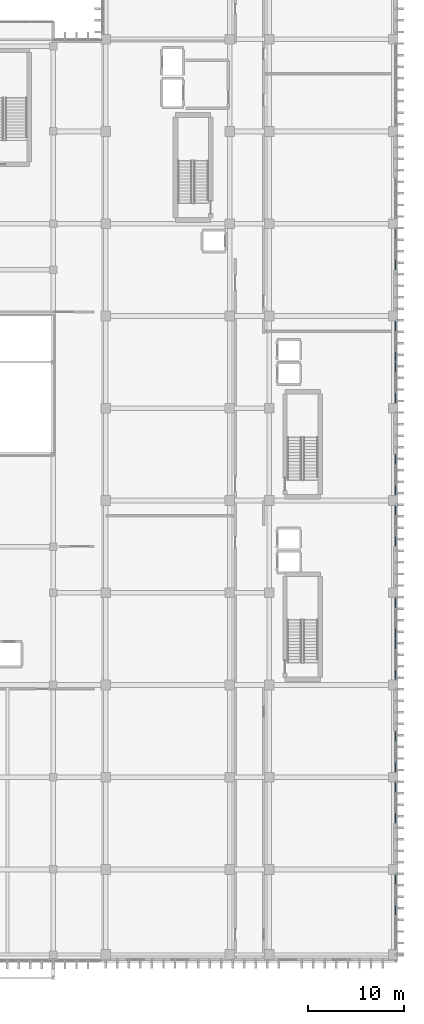
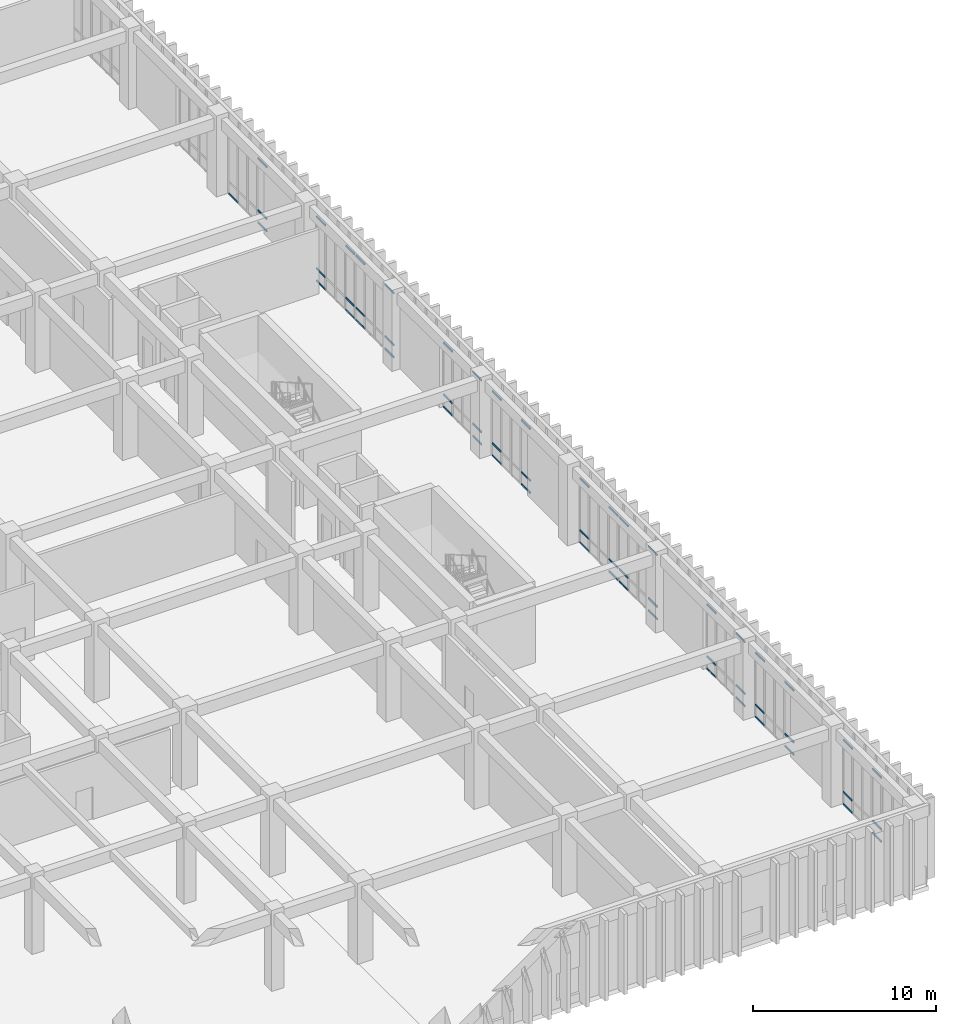
# One storey, part 88 of 134: 58 members, 10 elements without a shape of their own.
"""IFC4 building model written with IfcOpenShell, lengths in metres."""

from ifc_helpers import new_model, si_unit, direction, frame, origin, origin_2d, place, context, subcontext, project, spatial, hollow_rectangle, extrude, material, layer, layer_set, material_profile, profile_set, type_object, element, aggregate, save


model = new_model("IFC4")

# Units and contexts
model_context = context("Model", 3, precision=1e-05, world=origin(), true_north=direction((0.0, 1.0)))
body_context = subcontext(model_context, "Body", "Model", "MODEL_VIEW")
ifc_project = project(units=[si_unit("LENGTHUNIT", "METRE"), si_unit("AREAUNIT", "SQUARE_METRE"), si_unit("VOLUMEUNIT", "CUBIC_METRE"), si_unit("PLANEANGLEUNIT", "RADIAN"), si_unit("MASSUNIT", "GRAM", prefix="KILO")], contexts=[model_context])

# Site, building, storey
site_placement = place(None, origin())
site = spatial("IfcSite", under=ifc_project, at=site_placement, CompositionType="ELEMENT")
building_placement = place(site_placement, origin())
building = spatial("IfcBuilding", under=site, at=building_placement, Name="Nakhvara Creek Congress Hotel", CompositionType="ELEMENT")
storey_placement = place(building_placement, frame((0.0, 0.0, 6.0)))
storey = spatial("IfcBuildingStorey", under=building, at=storey_placement, Name="L01", CompositionType="ELEMENT", Elevation=6.0)

# Curtain wall, members
ifc_material_1 = material(Name="Bronze-anodised aluminium AW-6063-T6 and double-silver low-E glass", Category="aluminium")
ifc_layer = layer(ifc_material_1, 0.199951171875)
ifc_layer_set = layer_set([ifc_layer], Name="Bronze-anodised aluminium AW-6063-T6 and double-silver low-E glass")
curtain_wall_type = type_object("IfcCurtainWallType", Name="CW-HTL-UNIT", PredefinedType="USERDEFINED", material=ifc_layer_set)
curtain_wall_1_placement = place(storey_placement, origin())
curtain_wall_1 = element("IfcCurtainWall", 1, at=curtain_wall_1_placement, inside=storey, type_object=curtain_wall_type, Name="Curtain Wall CW107", ObjectType="UNITISED", PredefinedType="USERDEFINED")
ifc_material_2 = material(Name="Bronze-anodised aluminium AW-6063-T6", Category="aluminium")
ifc_material_profile = material_profile(ifc_material_2, hollow_rectangle(XDim=0.06494140625, YDim=0.1201171875, WallThickness=0.00390625, at=origin_2d()), Name="ALU-TRAN 65x120x4", Category="LoadBearing")
ifc_profile_set = profile_set([ifc_material_profile], Name="Bronze-anodised aluminium AW-6063-T6")
member_type = type_object("IfcMemberType", Name="CW-TRAN-120", PredefinedType="USERDEFINED", material=ifc_profile_set)
member_1_placement = place(storey_placement, frame((179.60009765625, 9.02001953125, 0.032470703125), z_axis=(0.0, -1.0, 0.0), x_axis=(1.0, 0.0, 0.0)))
member_1 = element("IfcMember", 2, at=member_1_placement, type_object=member_type, Name="CW107 transom 1.1", ObjectType="TRANSOM", PredefinedType="USERDEFINED", context=body_context, shape_type="SweptSolid", body=[
    extrude(hollow_rectangle(XDim=0.06494140625, YDim=0.1201171875, WallThickness=0.00390625, at=origin_2d()), origin(), (0.0, 0.0, 1.0), 0.973876953125),
])
member_2_placement = place(storey_placement, frame((179.60009765625, 9.02001953125, 0.85009765625), z_axis=(0.0, -1.0, 0.0), x_axis=(1.0, 0.0, 0.0)))
member_2 = element("IfcMember", 3, at=member_2_placement, type_object=member_type, Name="CW107 transom 1.2", ObjectType="TRANSOM", PredefinedType="USERDEFINED", context=body_context, shape_type="SweptSolid", body=[
    extrude(hollow_rectangle(XDim=0.06494140625, YDim=0.1201171875, WallThickness=0.00390625, at=origin_2d()), origin(), (0.0, 0.0, 1.0), 0.973876953125),
])
member_3_placement = place(storey_placement, frame((179.60009765625, 9.02001953125, 4.3095703125), z_axis=(0.0, -1.0, 0.0), x_axis=(1.0, 0.0, 0.0)))
member_3 = element("IfcMember", 4, at=member_3_placement, type_object=member_type, Name="CW107 transom 1.3", ObjectType="TRANSOM", PredefinedType="USERDEFINED", context=body_context, shape_type="SweptSolid", body=[
    extrude(hollow_rectangle(XDim=0.06494140625, YDim=0.1201171875, WallThickness=0.00390625, at=origin_2d()), origin(), (0.0, 0.0, 1.0), 0.973876953125),
])
member_4_placement = place(storey_placement, frame((179.60009765625, 5.8388671875, 0.032470703125), z_axis=(0.0, -1.0, 0.0), x_axis=(1.0, 0.0, 0.0)))
member_4 = element("IfcMember", 5, at=member_4_placement, type_object=member_type, Name="CW107 transom 4.1", ObjectType="TRANSOM", PredefinedType="USERDEFINED", context=body_context, shape_type="SweptSolid", body=[
    extrude(hollow_rectangle(XDim=0.06494140625, YDim=0.1201171875, WallThickness=0.00390625, at=origin_2d()), origin(), (0.0, 0.0, 1.0), 0.973876953125),
])
member_5_placement = place(storey_placement, frame((179.60009765625, 5.8388671875, 0.85009765625), z_axis=(0.0, -1.0, 0.0), x_axis=(1.0, 0.0, 0.0)))
member_5 = element("IfcMember", 6, at=member_5_placement, type_object=member_type, Name="CW107 transom 4.2", ObjectType="TRANSOM", PredefinedType="USERDEFINED", context=body_context, shape_type="SweptSolid", body=[
    extrude(hollow_rectangle(XDim=0.06494140625, YDim=0.1201171875, WallThickness=0.00390625, at=origin_2d()), origin(), (0.0, 0.0, 1.0), 0.973876953125),
])
member_6_placement = place(storey_placement, frame((179.60009765625, 5.8388671875, 4.3095703125), z_axis=(0.0, -1.0, 0.0), x_axis=(1.0, 0.0, 0.0)))
member_6 = element("IfcMember", 7, at=member_6_placement, type_object=member_type, Name="CW107 transom 4.3", ObjectType="TRANSOM", PredefinedType="USERDEFINED", context=body_context, shape_type="SweptSolid", body=[
    extrude(hollow_rectangle(XDim=0.06494140625, YDim=0.1201171875, WallThickness=0.00390625, at=origin_2d()), origin(), (0.0, 0.0, 1.0), 0.973876953125),
])
aggregate(curtain_wall_1, [member_1, member_2, member_3, member_4, member_5, member_6])

curtain_wall_2_placement = place(storey_placement, origin())
curtain_wall_2 = element("IfcCurtainWall", 8, at=curtain_wall_2_placement, inside=storey, type_object=curtain_wall_type, Name="Curtain Wall CW108", ObjectType="UNITISED", PredefinedType="USERDEFINED")
member_7_placement = place(storey_placement, frame((179.60009765625, 18.6201171875, 0.032470703125), z_axis=(0.0, -1.0, 0.0), x_axis=(1.0, 0.0, 0.0)))
member_7 = element("IfcMember", 9, at=member_7_placement, type_object=member_type, Name="CW108 transom 1.1", ObjectType="TRANSOM", PredefinedType="USERDEFINED", context=body_context, shape_type="SweptSolid", body=[
    extrude(hollow_rectangle(XDim=0.06494140625, YDim=0.1201171875, WallThickness=0.00390625, at=origin_2d()), origin(), (0.0, 0.0, 1.0), 0.973876953125),
])
member_8_placement = place(storey_placement, frame((179.60009765625, 18.6201171875, 0.85009765625), z_axis=(0.0, -1.0, 0.0), x_axis=(1.0, 0.0, 0.0)))
member_8 = element("IfcMember", 10, at=member_8_placement, type_object=member_type, Name="CW108 transom 1.2", ObjectType="TRANSOM", PredefinedType="USERDEFINED", context=body_context, shape_type="SweptSolid", body=[
    extrude(hollow_rectangle(XDim=0.06494140625, YDim=0.1201171875, WallThickness=0.00390625, at=origin_2d()), origin(), (0.0, 0.0, 1.0), 0.973876953125),
])
member_9_placement = place(storey_placement, frame((179.60009765625, 18.6201171875, 4.3095703125), z_axis=(0.0, -1.0, 0.0), x_axis=(1.0, 0.0, 0.0)))
member_9 = element("IfcMember", 11, at=member_9_placement, type_object=member_type, Name="CW108 transom 1.3", ObjectType="TRANSOM", PredefinedType="USERDEFINED", context=body_context, shape_type="SweptSolid", body=[
    extrude(hollow_rectangle(XDim=0.06494140625, YDim=0.1201171875, WallThickness=0.00390625, at=origin_2d()), origin(), (0.0, 0.0, 1.0), 0.973876953125),
])
member_10_placement = place(storey_placement, frame((179.60009765625, 15.438720703125, 0.032470703125), z_axis=(0.0, -1.0, 0.0), x_axis=(1.0, 0.0, 0.0)))
member_10 = element("IfcMember", 12, at=member_10_placement, type_object=member_type, Name="CW108 transom 4.1", ObjectType="TRANSOM", PredefinedType="USERDEFINED", context=body_context, shape_type="SweptSolid", body=[
    extrude(hollow_rectangle(XDim=0.06494140625, YDim=0.1201171875, WallThickness=0.00390625, at=origin_2d()), origin(), (0.0, 0.0, 1.0), 0.9736328125),
])
member_11_placement = place(storey_placement, frame((179.60009765625, 15.438720703125, 0.85009765625), z_axis=(0.0, -1.0, 0.0), x_axis=(1.0, 0.0, 0.0)))
member_11 = element("IfcMember", 13, at=member_11_placement, type_object=member_type, Name="CW108 transom 4.2", ObjectType="TRANSOM", PredefinedType="USERDEFINED", context=body_context, shape_type="SweptSolid", body=[
    extrude(hollow_rectangle(XDim=0.06494140625, YDim=0.1201171875, WallThickness=0.00390625, at=origin_2d()), origin(), (0.0, 0.0, 1.0), 0.9736328125),
])
member_12_placement = place(storey_placement, frame((179.60009765625, 15.438720703125, 4.3095703125), z_axis=(0.0, -1.0, 0.0), x_axis=(1.0, 0.0, 0.0)))
member_12 = element("IfcMember", 14, at=member_12_placement, type_object=member_type, Name="CW108 transom 4.3", ObjectType="TRANSOM", PredefinedType="USERDEFINED", context=body_context, shape_type="SweptSolid", body=[
    extrude(hollow_rectangle(XDim=0.06494140625, YDim=0.1201171875, WallThickness=0.00390625, at=origin_2d()), origin(), (0.0, 0.0, 1.0), 0.9736328125),
])
aggregate(curtain_wall_2, [member_7, member_8, member_9, member_10, member_11, member_12])

curtain_wall_3_placement = place(storey_placement, origin())
curtain_wall_3 = element("IfcCurtainWall", 15, at=curtain_wall_3_placement, inside=storey, type_object=curtain_wall_type, Name="Curtain Wall CW109", ObjectType="UNITISED", PredefinedType="USERDEFINED")
member_13_placement = place(storey_placement, frame((179.60009765625, 23.93505859375, 0.032470703125), z_axis=(0.0, -1.0, 0.0), x_axis=(1.0, 0.0, 0.0)))
member_13 = element("IfcMember", 16, at=member_13_placement, type_object=member_type, Name="CW109 transom 1.1", ObjectType="TRANSOM", PredefinedType="USERDEFINED", context=body_context, shape_type="SweptSolid", body=[
    extrude(hollow_rectangle(XDim=0.06494140625, YDim=0.1201171875, WallThickness=0.00390625, at=origin_2d()), origin(), (0.0, 0.0, 1.0), 0.973876953125),
])
member_14_placement = place(storey_placement, frame((179.60009765625, 23.93505859375, 0.85009765625), z_axis=(0.0, -1.0, 0.0), x_axis=(1.0, 0.0, 0.0)))
member_14 = element("IfcMember", 17, at=member_14_placement, type_object=member_type, Name="CW109 transom 1.2", ObjectType="TRANSOM", PredefinedType="USERDEFINED", context=body_context, shape_type="SweptSolid", body=[
    extrude(hollow_rectangle(XDim=0.06494140625, YDim=0.1201171875, WallThickness=0.00390625, at=origin_2d()), origin(), (0.0, 0.0, 1.0), 0.973876953125),
])
member_15_placement = place(storey_placement, frame((179.60009765625, 23.93505859375, 4.3095703125), z_axis=(0.0, -1.0, 0.0), x_axis=(1.0, 0.0, 0.0)))
member_15 = element("IfcMember", 18, at=member_15_placement, type_object=member_type, Name="CW109 transom 1.3", ObjectType="TRANSOM", PredefinedType="USERDEFINED", context=body_context, shape_type="SweptSolid", body=[
    extrude(hollow_rectangle(XDim=0.06494140625, YDim=0.1201171875, WallThickness=0.00390625, at=origin_2d()), origin(), (0.0, 0.0, 1.0), 0.973876953125),
])
member_16_placement = place(storey_placement, frame((179.60009765625, 20.753662109375, 0.032470703125), z_axis=(0.0, -1.0, 0.0), x_axis=(1.0, 0.0, 0.0)))
member_16 = element("IfcMember", 19, at=member_16_placement, type_object=member_type, Name="CW109 transom 4.1", ObjectType="TRANSOM", PredefinedType="USERDEFINED", context=body_context, shape_type="SweptSolid", body=[
    extrude(hollow_rectangle(XDim=0.06494140625, YDim=0.1201171875, WallThickness=0.00390625, at=origin_2d()), origin(), (0.0, 0.0, 1.0), 0.9736328125),
])
member_17_placement = place(storey_placement, frame((179.60009765625, 20.753662109375, 0.85009765625), z_axis=(0.0, -1.0, 0.0), x_axis=(1.0, 0.0, 0.0)))
member_17 = element("IfcMember", 20, at=member_17_placement, type_object=member_type, Name="CW109 transom 4.2", ObjectType="TRANSOM", PredefinedType="USERDEFINED", context=body_context, shape_type="SweptSolid", body=[
    extrude(hollow_rectangle(XDim=0.06494140625, YDim=0.1201171875, WallThickness=0.00390625, at=origin_2d()), origin(), (0.0, 0.0, 1.0), 0.9736328125),
])
member_18_placement = place(storey_placement, frame((179.60009765625, 20.753662109375, 4.3095703125), z_axis=(0.0, -1.0, 0.0), x_axis=(1.0, 0.0, 0.0)))
member_18 = element("IfcMember", 21, at=member_18_placement, type_object=member_type, Name="CW109 transom 4.3", ObjectType="TRANSOM", PredefinedType="USERDEFINED", context=body_context, shape_type="SweptSolid", body=[
    extrude(hollow_rectangle(XDim=0.06494140625, YDim=0.1201171875, WallThickness=0.00390625, at=origin_2d()), origin(), (0.0, 0.0, 1.0), 0.9736328125),
])
aggregate(curtain_wall_3, [member_13, member_14, member_15, member_16, member_17, member_18])

curtain_wall_4_placement = place(storey_placement, origin())
curtain_wall_4 = element("IfcCurtainWall", 22, at=curtain_wall_4_placement, inside=storey, type_object=curtain_wall_type, Name="Curtain Wall CW110", ObjectType="UNITISED", PredefinedType="USERDEFINED")
member_19_placement = place(storey_placement, frame((179.60009765625, 33.534912109375, 0.032470703125), z_axis=(0.0, -1.0, 0.0), x_axis=(1.0, 0.0, 0.0)))
member_19 = element("IfcMember", 23, at=member_19_placement, type_object=member_type, Name="CW110 transom 1.1", ObjectType="TRANSOM", PredefinedType="USERDEFINED", context=body_context, shape_type="SweptSolid", body=[
    extrude(hollow_rectangle(XDim=0.06494140625, YDim=0.1201171875, WallThickness=0.00390625, at=origin_2d()), origin(), (0.0, 0.0, 1.0), 0.9736328125),
])
member_20_placement = place(storey_placement, frame((179.60009765625, 33.534912109375, 0.85009765625), z_axis=(0.0, -1.0, 0.0), x_axis=(1.0, 0.0, 0.0)))
member_20 = element("IfcMember", 24, at=member_20_placement, type_object=member_type, Name="CW110 transom 1.2", ObjectType="TRANSOM", PredefinedType="USERDEFINED", context=body_context, shape_type="SweptSolid", body=[
    extrude(hollow_rectangle(XDim=0.06494140625, YDim=0.1201171875, WallThickness=0.00390625, at=origin_2d()), origin(), (0.0, 0.0, 1.0), 0.9736328125),
])
member_21_placement = place(storey_placement, frame((179.60009765625, 33.534912109375, 4.3095703125), z_axis=(0.0, -1.0, 0.0), x_axis=(1.0, 0.0, 0.0)))
member_21 = element("IfcMember", 25, at=member_21_placement, type_object=member_type, Name="CW110 transom 1.3", ObjectType="TRANSOM", PredefinedType="USERDEFINED", context=body_context, shape_type="SweptSolid", body=[
    extrude(hollow_rectangle(XDim=0.06494140625, YDim=0.1201171875, WallThickness=0.00390625, at=origin_2d()), origin(), (0.0, 0.0, 1.0), 0.9736328125),
])
member_22_placement = place(storey_placement, frame((179.60009765625, 30.353759765625, 0.032470703125), z_axis=(0.0, -1.0, 0.0), x_axis=(1.0, 0.0, 0.0)))
member_22 = element("IfcMember", 26, at=member_22_placement, type_object=member_type, Name="CW110 transom 4.1", ObjectType="TRANSOM", PredefinedType="USERDEFINED", context=body_context, shape_type="SweptSolid", body=[
    extrude(hollow_rectangle(XDim=0.06494140625, YDim=0.1201171875, WallThickness=0.00390625, at=origin_2d()), origin(), (0.0, 0.0, 1.0), 0.973876953125),
])
member_23_placement = place(storey_placement, frame((179.60009765625, 30.353759765625, 0.85009765625), z_axis=(0.0, -1.0, 0.0), x_axis=(1.0, 0.0, 0.0)))
member_23 = element("IfcMember", 27, at=member_23_placement, type_object=member_type, Name="CW110 transom 4.2", ObjectType="TRANSOM", PredefinedType="USERDEFINED", context=body_context, shape_type="SweptSolid", body=[
    extrude(hollow_rectangle(XDim=0.06494140625, YDim=0.1201171875, WallThickness=0.00390625, at=origin_2d()), origin(), (0.0, 0.0, 1.0), 0.973876953125),
])
member_24_placement = place(storey_placement, frame((179.60009765625, 30.353759765625, 4.3095703125), z_axis=(0.0, -1.0, 0.0), x_axis=(1.0, 0.0, 0.0)))
member_24 = element("IfcMember", 28, at=member_24_placement, type_object=member_type, Name="CW110 transom 4.3", ObjectType="TRANSOM", PredefinedType="USERDEFINED", context=body_context, shape_type="SweptSolid", body=[
    extrude(hollow_rectangle(XDim=0.06494140625, YDim=0.1201171875, WallThickness=0.00390625, at=origin_2d()), origin(), (0.0, 0.0, 1.0), 0.973876953125),
])
aggregate(curtain_wall_4, [member_19, member_20, member_21, member_22, member_23, member_24])

curtain_wall_5_placement = place(storey_placement, origin())
curtain_wall_5 = element("IfcCurtainWall", 29, at=curtain_wall_5_placement, inside=storey, type_object=curtain_wall_type, Name="Curtain Wall CW111", ObjectType="UNITISED", PredefinedType="USERDEFINED")
member_25_placement = place(storey_placement, frame((179.60009765625, 37.820068359375, 0.032470703125), z_axis=(0.0, -1.0, 0.0), x_axis=(1.0, 0.0, 0.0)))
member_25 = element("IfcMember", 30, at=member_25_placement, type_object=member_type, Name="CW111 transom 1.1", ObjectType="TRANSOM", PredefinedType="USERDEFINED", context=body_context, shape_type="SweptSolid", body=[
    extrude(hollow_rectangle(XDim=0.06494140625, YDim=0.1201171875, WallThickness=0.00390625, at=origin_2d()), origin(), (0.0, 0.0, 1.0), 0.973876953125),
])
member_26_placement = place(storey_placement, frame((179.60009765625, 37.820068359375, 0.85009765625), z_axis=(0.0, -1.0, 0.0), x_axis=(1.0, 0.0, 0.0)))
member_26 = element("IfcMember", 31, at=member_26_placement, type_object=member_type, Name="CW111 transom 1.2", ObjectType="TRANSOM", PredefinedType="USERDEFINED", context=body_context, shape_type="SweptSolid", body=[
    extrude(hollow_rectangle(XDim=0.06494140625, YDim=0.1201171875, WallThickness=0.00390625, at=origin_2d()), origin(), (0.0, 0.0, 1.0), 0.973876953125),
])
member_27_placement = place(storey_placement, frame((179.60009765625, 37.820068359375, 4.3095703125), z_axis=(0.0, -1.0, 0.0), x_axis=(1.0, 0.0, 0.0)))
member_27 = element("IfcMember", 32, at=member_27_placement, type_object=member_type, Name="CW111 transom 1.3", ObjectType="TRANSOM", PredefinedType="USERDEFINED", context=body_context, shape_type="SweptSolid", body=[
    extrude(hollow_rectangle(XDim=0.06494140625, YDim=0.1201171875, WallThickness=0.00390625, at=origin_2d()), origin(), (0.0, 0.0, 1.0), 0.973876953125),
])
member_28_placement = place(storey_placement, frame((179.60009765625, 34.638671875, 0.032470703125), z_axis=(0.0, -1.0, 0.0), x_axis=(1.0, 0.0, 0.0)))
member_28 = element("IfcMember", 33, at=member_28_placement, type_object=member_type, Name="CW111 transom 4.1", ObjectType="TRANSOM", PredefinedType="USERDEFINED", context=body_context, shape_type="SweptSolid", body=[
    extrude(hollow_rectangle(XDim=0.06494140625, YDim=0.1201171875, WallThickness=0.00390625, at=origin_2d()), origin(), (0.0, 0.0, 1.0), 0.9736328125),
])
member_29_placement = place(storey_placement, frame((179.60009765625, 34.638671875, 0.85009765625), z_axis=(0.0, -1.0, 0.0), x_axis=(1.0, 0.0, 0.0)))
member_29 = element("IfcMember", 34, at=member_29_placement, type_object=member_type, Name="CW111 transom 4.2", ObjectType="TRANSOM", PredefinedType="USERDEFINED", context=body_context, shape_type="SweptSolid", body=[
    extrude(hollow_rectangle(XDim=0.06494140625, YDim=0.1201171875, WallThickness=0.00390625, at=origin_2d()), origin(), (0.0, 0.0, 1.0), 0.9736328125),
])
member_30_placement = place(storey_placement, frame((179.60009765625, 34.638671875, 4.3095703125), z_axis=(0.0, -1.0, 0.0), x_axis=(1.0, 0.0, 0.0)))
member_30 = element("IfcMember", 35, at=member_30_placement, type_object=member_type, Name="CW111 transom 4.3", ObjectType="TRANSOM", PredefinedType="USERDEFINED", context=body_context, shape_type="SweptSolid", body=[
    extrude(hollow_rectangle(XDim=0.06494140625, YDim=0.1201171875, WallThickness=0.00390625, at=origin_2d()), origin(), (0.0, 0.0, 1.0), 0.9736328125),
])
aggregate(curtain_wall_5, [member_25, member_26, member_27, member_28, member_29, member_30])

curtain_wall_6_placement = place(storey_placement, origin())
curtain_wall_6 = element("IfcCurtainWall", 36, at=curtain_wall_6_placement, inside=storey, type_object=curtain_wall_type, Name="Curtain Wall CW112", ObjectType="UNITISED", PredefinedType="USERDEFINED")
member_31_placement = place(storey_placement, frame((179.60009765625, 47.419921875, 0.032470703125), z_axis=(0.0, -1.0, 0.0), x_axis=(1.0, 0.0, 0.0)))
member_31 = element("IfcMember", 37, at=member_31_placement, type_object=member_type, Name="CW112 transom 1.1", ObjectType="TRANSOM", PredefinedType="USERDEFINED", context=body_context, shape_type="SweptSolid", body=[
    extrude(hollow_rectangle(XDim=0.06494140625, YDim=0.1201171875, WallThickness=0.00390625, at=origin_2d()), origin(), (0.0, 0.0, 1.0), 0.9736328125),
])
member_32_placement = place(storey_placement, frame((179.60009765625, 47.419921875, 0.85009765625), z_axis=(0.0, -1.0, 0.0), x_axis=(1.0, 0.0, 0.0)))
member_32 = element("IfcMember", 38, at=member_32_placement, type_object=member_type, Name="CW112 transom 1.2", ObjectType="TRANSOM", PredefinedType="USERDEFINED", context=body_context, shape_type="SweptSolid", body=[
    extrude(hollow_rectangle(XDim=0.06494140625, YDim=0.1201171875, WallThickness=0.00390625, at=origin_2d()), origin(), (0.0, 0.0, 1.0), 0.9736328125),
])
member_33_placement = place(storey_placement, frame((179.60009765625, 47.419921875, 4.3095703125), z_axis=(0.0, -1.0, 0.0), x_axis=(1.0, 0.0, 0.0)))
member_33 = element("IfcMember", 39, at=member_33_placement, type_object=member_type, Name="CW112 transom 1.3", ObjectType="TRANSOM", PredefinedType="USERDEFINED", context=body_context, shape_type="SweptSolid", body=[
    extrude(hollow_rectangle(XDim=0.06494140625, YDim=0.1201171875, WallThickness=0.00390625, at=origin_2d()), origin(), (0.0, 0.0, 1.0), 0.9736328125),
])
member_34_placement = place(storey_placement, frame((179.60009765625, 44.23876953125, 0.032470703125), z_axis=(0.0, -1.0, 0.0), x_axis=(1.0, 0.0, 0.0)))
member_34 = element("IfcMember", 40, at=member_34_placement, type_object=member_type, Name="CW112 transom 4.1", ObjectType="TRANSOM", PredefinedType="USERDEFINED", context=body_context, shape_type="SweptSolid", body=[
    extrude(hollow_rectangle(XDim=0.06494140625, YDim=0.1201171875, WallThickness=0.00390625, at=origin_2d()), origin(), (0.0, 0.0, 1.0), 0.973876953125),
])
member_35_placement = place(storey_placement, frame((179.60009765625, 44.23876953125, 0.85009765625), z_axis=(0.0, -1.0, 0.0), x_axis=(1.0, 0.0, 0.0)))
member_35 = element("IfcMember", 41, at=member_35_placement, type_object=member_type, Name="CW112 transom 4.2", ObjectType="TRANSOM", PredefinedType="USERDEFINED", context=body_context, shape_type="SweptSolid", body=[
    extrude(hollow_rectangle(XDim=0.06494140625, YDim=0.1201171875, WallThickness=0.00390625, at=origin_2d()), origin(), (0.0, 0.0, 1.0), 0.973876953125),
])
member_36_placement = place(storey_placement, frame((179.60009765625, 44.23876953125, 4.3095703125), z_axis=(0.0, -1.0, 0.0), x_axis=(1.0, 0.0, 0.0)))
member_36 = element("IfcMember", 42, at=member_36_placement, type_object=member_type, Name="CW112 transom 4.3", ObjectType="TRANSOM", PredefinedType="USERDEFINED", context=body_context, shape_type="SweptSolid", body=[
    extrude(hollow_rectangle(XDim=0.06494140625, YDim=0.1201171875, WallThickness=0.00390625, at=origin_2d()), origin(), (0.0, 0.0, 1.0), 0.973876953125),
])
aggregate(curtain_wall_6, [member_31, member_32, member_33, member_34, member_35, member_36])

curtain_wall_7_placement = place(storey_placement, origin())
curtain_wall_7 = element("IfcCurtainWall", 43, at=curtain_wall_7_placement, inside=storey, type_object=curtain_wall_type, Name="Curtain Wall CW113", ObjectType="UNITISED", PredefinedType="USERDEFINED")
member_37_placement = place(storey_placement, frame((179.60009765625, 52.735107421875, 0.032470703125), z_axis=(0.0, -1.0, 0.0), x_axis=(1.0, 0.0, 0.0)))
member_37 = element("IfcMember", 44, at=member_37_placement, type_object=member_type, Name="CW113 transom 1.1", ObjectType="TRANSOM", PredefinedType="USERDEFINED", context=body_context, shape_type="SweptSolid", body=[
    extrude(hollow_rectangle(XDim=0.06494140625, YDim=0.1201171875, WallThickness=0.00390625, at=origin_2d()), origin(), (0.0, 0.0, 1.0), 0.973876953125),
])
member_38_placement = place(storey_placement, frame((179.60009765625, 52.735107421875, 0.85009765625), z_axis=(0.0, -1.0, 0.0), x_axis=(1.0, 0.0, 0.0)))
member_38 = element("IfcMember", 45, at=member_38_placement, type_object=member_type, Name="CW113 transom 1.2", ObjectType="TRANSOM", PredefinedType="USERDEFINED", context=body_context, shape_type="SweptSolid", body=[
    extrude(hollow_rectangle(XDim=0.06494140625, YDim=0.1201171875, WallThickness=0.00390625, at=origin_2d()), origin(), (0.0, 0.0, 1.0), 0.973876953125),
])
member_39_placement = place(storey_placement, frame((179.60009765625, 52.735107421875, 4.3095703125), z_axis=(0.0, -1.0, 0.0), x_axis=(1.0, 0.0, 0.0)))
member_39 = element("IfcMember", 46, at=member_39_placement, type_object=member_type, Name="CW113 transom 1.3", ObjectType="TRANSOM", PredefinedType="USERDEFINED", context=body_context, shape_type="SweptSolid", body=[
    extrude(hollow_rectangle(XDim=0.06494140625, YDim=0.1201171875, WallThickness=0.00390625, at=origin_2d()), origin(), (0.0, 0.0, 1.0), 0.973876953125),
])
member_40_placement = place(storey_placement, frame((179.60009765625, 49.5537109375, 0.032470703125), z_axis=(0.0, -1.0, 0.0), x_axis=(1.0, 0.0, 0.0)))
member_40 = element("IfcMember", 47, at=member_40_placement, type_object=member_type, Name="CW113 transom 4.1", ObjectType="TRANSOM", PredefinedType="USERDEFINED", context=body_context, shape_type="SweptSolid", body=[
    extrude(hollow_rectangle(XDim=0.06494140625, YDim=0.1201171875, WallThickness=0.00390625, at=origin_2d()), origin(), (0.0, 0.0, 1.0), 0.9736328125),
])
member_41_placement = place(storey_placement, frame((179.60009765625, 49.5537109375, 0.85009765625), z_axis=(0.0, -1.0, 0.0), x_axis=(1.0, 0.0, 0.0)))
member_41 = element("IfcMember", 48, at=member_41_placement, type_object=member_type, Name="CW113 transom 4.2", ObjectType="TRANSOM", PredefinedType="USERDEFINED", context=body_context, shape_type="SweptSolid", body=[
    extrude(hollow_rectangle(XDim=0.06494140625, YDim=0.1201171875, WallThickness=0.00390625, at=origin_2d()), origin(), (0.0, 0.0, 1.0), 0.9736328125),
])
member_42_placement = place(storey_placement, frame((179.60009765625, 49.5537109375, 4.3095703125), z_axis=(0.0, -1.0, 0.0), x_axis=(1.0, 0.0, 0.0)))
member_42 = element("IfcMember", 49, at=member_42_placement, type_object=member_type, Name="CW113 transom 4.3", ObjectType="TRANSOM", PredefinedType="USERDEFINED", context=body_context, shape_type="SweptSolid", body=[
    extrude(hollow_rectangle(XDim=0.06494140625, YDim=0.1201171875, WallThickness=0.00390625, at=origin_2d()), origin(), (0.0, 0.0, 1.0), 0.9736328125),
])
aggregate(curtain_wall_7, [member_37, member_38, member_39, member_40, member_41, member_42])

curtain_wall_8_placement = place(storey_placement, origin())
curtain_wall_8 = element("IfcCurtainWall", 50, at=curtain_wall_8_placement, inside=storey, type_object=curtain_wall_type, Name="Curtain Wall CW114", ObjectType="UNITISED", PredefinedType="USERDEFINED")
member_43_placement = place(storey_placement, frame((179.60009765625, 62.3349609375, 0.032470703125), z_axis=(0.0, -1.0, 0.0), x_axis=(1.0, 0.0, 0.0)))
member_43 = element("IfcMember", 51, at=member_43_placement, type_object=member_type, Name="CW114 transom 1.1", ObjectType="TRANSOM", PredefinedType="USERDEFINED", context=body_context, shape_type="SweptSolid", body=[
    extrude(hollow_rectangle(XDim=0.06494140625, YDim=0.1201171875, WallThickness=0.00390625, at=origin_2d()), origin(), (0.0, 0.0, 1.0), 0.9736328125),
])
member_44_placement = place(storey_placement, frame((179.60009765625, 62.3349609375, 0.85009765625), z_axis=(0.0, -1.0, 0.0), x_axis=(1.0, 0.0, 0.0)))
member_44 = element("IfcMember", 52, at=member_44_placement, type_object=member_type, Name="CW114 transom 1.2", ObjectType="TRANSOM", PredefinedType="USERDEFINED", context=body_context, shape_type="SweptSolid", body=[
    extrude(hollow_rectangle(XDim=0.06494140625, YDim=0.1201171875, WallThickness=0.00390625, at=origin_2d()), origin(), (0.0, 0.0, 1.0), 0.9736328125),
])
member_45_placement = place(storey_placement, frame((179.60009765625, 62.3349609375, 4.3095703125), z_axis=(0.0, -1.0, 0.0), x_axis=(1.0, 0.0, 0.0)))
member_45 = element("IfcMember", 53, at=member_45_placement, type_object=member_type, Name="CW114 transom 1.3", ObjectType="TRANSOM", PredefinedType="USERDEFINED", context=body_context, shape_type="SweptSolid", body=[
    extrude(hollow_rectangle(XDim=0.06494140625, YDim=0.1201171875, WallThickness=0.00390625, at=origin_2d()), origin(), (0.0, 0.0, 1.0), 0.9736328125),
])
member_46_placement = place(storey_placement, frame((179.60009765625, 59.15380859375, 0.032470703125), z_axis=(0.0, -1.0, 0.0), x_axis=(1.0, 0.0, 0.0)))
member_46 = element("IfcMember", 54, at=member_46_placement, type_object=member_type, Name="CW114 transom 4.1", ObjectType="TRANSOM", PredefinedType="USERDEFINED", context=body_context, shape_type="SweptSolid", body=[
    extrude(hollow_rectangle(XDim=0.06494140625, YDim=0.1201171875, WallThickness=0.00390625, at=origin_2d()), origin(), (0.0, 0.0, 1.0), 0.973876953125),
])
member_47_placement = place(storey_placement, frame((179.60009765625, 59.15380859375, 0.85009765625), z_axis=(0.0, -1.0, 0.0), x_axis=(1.0, 0.0, 0.0)))
member_47 = element("IfcMember", 55, at=member_47_placement, type_object=member_type, Name="CW114 transom 4.2", ObjectType="TRANSOM", PredefinedType="USERDEFINED", context=body_context, shape_type="SweptSolid", body=[
    extrude(hollow_rectangle(XDim=0.06494140625, YDim=0.1201171875, WallThickness=0.00390625, at=origin_2d()), origin(), (0.0, 0.0, 1.0), 0.973876953125),
])
member_48_placement = place(storey_placement, frame((179.60009765625, 59.15380859375, 4.3095703125), z_axis=(0.0, -1.0, 0.0), x_axis=(1.0, 0.0, 0.0)))
member_48 = element("IfcMember", 56, at=member_48_placement, type_object=member_type, Name="CW114 transom 4.3", ObjectType="TRANSOM", PredefinedType="USERDEFINED", context=body_context, shape_type="SweptSolid", body=[
    extrude(hollow_rectangle(XDim=0.06494140625, YDim=0.1201171875, WallThickness=0.00390625, at=origin_2d()), origin(), (0.0, 0.0, 1.0), 0.973876953125),
])
aggregate(curtain_wall_8, [member_43, member_44, member_45, member_46, member_47, member_48])

curtain_wall_9_placement = place(storey_placement, origin())
curtain_wall_9 = element("IfcCurtainWall", 57, at=curtain_wall_9_placement, inside=storey, type_object=curtain_wall_type, Name="Curtain Wall CW115", ObjectType="UNITISED", PredefinedType="USERDEFINED")
member_49_placement = place(storey_placement, frame((179.60009765625, 66.6201171875, 0.032470703125), z_axis=(0.0, -1.0, 0.0), x_axis=(1.0, 0.0, 0.0)))
member_49 = element("IfcMember", 58, at=member_49_placement, type_object=member_type, Name="CW115 transom 1.1", ObjectType="TRANSOM", PredefinedType="USERDEFINED", context=body_context, shape_type="SweptSolid", body=[
    extrude(hollow_rectangle(XDim=0.06494140625, YDim=0.1201171875, WallThickness=0.00390625, at=origin_2d()), origin(), (0.0, 0.0, 1.0), 0.973876953125),
])
member_50_placement = place(storey_placement, frame((179.60009765625, 66.6201171875, 0.85009765625), z_axis=(0.0, -1.0, 0.0), x_axis=(1.0, 0.0, 0.0)))
member_50 = element("IfcMember", 59, at=member_50_placement, type_object=member_type, Name="CW115 transom 1.2", ObjectType="TRANSOM", PredefinedType="USERDEFINED", context=body_context, shape_type="SweptSolid", body=[
    extrude(hollow_rectangle(XDim=0.06494140625, YDim=0.1201171875, WallThickness=0.00390625, at=origin_2d()), origin(), (0.0, 0.0, 1.0), 0.973876953125),
])
member_51_placement = place(storey_placement, frame((179.60009765625, 66.6201171875, 4.3095703125), z_axis=(0.0, -1.0, 0.0), x_axis=(1.0, 0.0, 0.0)))
member_51 = element("IfcMember", 60, at=member_51_placement, type_object=member_type, Name="CW115 transom 1.3", ObjectType="TRANSOM", PredefinedType="USERDEFINED", context=body_context, shape_type="SweptSolid", body=[
    extrude(hollow_rectangle(XDim=0.06494140625, YDim=0.1201171875, WallThickness=0.00390625, at=origin_2d()), origin(), (0.0, 0.0, 1.0), 0.973876953125),
])
member_52_placement = place(storey_placement, frame((179.60009765625, 63.438720703125, 0.032470703125), z_axis=(0.0, -1.0, 0.0), x_axis=(1.0, 0.0, 0.0)))
member_52 = element("IfcMember", 61, at=member_52_placement, type_object=member_type, Name="CW115 transom 4.1", ObjectType="TRANSOM", PredefinedType="USERDEFINED", context=body_context, shape_type="SweptSolid", body=[
    extrude(hollow_rectangle(XDim=0.06494140625, YDim=0.1201171875, WallThickness=0.00390625, at=origin_2d()), origin(), (0.0, 0.0, 1.0), 0.9736328125),
])
member_53_placement = place(storey_placement, frame((179.60009765625, 63.438720703125, 0.85009765625), z_axis=(0.0, -1.0, 0.0), x_axis=(1.0, 0.0, 0.0)))
member_53 = element("IfcMember", 62, at=member_53_placement, type_object=member_type, Name="CW115 transom 4.2", ObjectType="TRANSOM", PredefinedType="USERDEFINED", context=body_context, shape_type="SweptSolid", body=[
    extrude(hollow_rectangle(XDim=0.06494140625, YDim=0.1201171875, WallThickness=0.00390625, at=origin_2d()), origin(), (0.0, 0.0, 1.0), 0.9736328125),
])
member_54_placement = place(storey_placement, frame((179.60009765625, 63.438720703125, 4.3095703125), z_axis=(0.0, -1.0, 0.0), x_axis=(1.0, 0.0, 0.0)))
member_54 = element("IfcMember", 63, at=member_54_placement, type_object=member_type, Name="CW115 transom 4.3", ObjectType="TRANSOM", PredefinedType="USERDEFINED", context=body_context, shape_type="SweptSolid", body=[
    extrude(hollow_rectangle(XDim=0.06494140625, YDim=0.1201171875, WallThickness=0.00390625, at=origin_2d()), origin(), (0.0, 0.0, 1.0), 0.9736328125),
])
aggregate(curtain_wall_9, [member_49, member_50, member_51, member_52, member_53, member_54])

curtain_wall_10_placement = place(storey_placement, origin())
curtain_wall_10 = element("IfcCurtainWall", 64, at=curtain_wall_10_placement, inside=storey, type_object=curtain_wall_type, Name="Curtain Wall CW116", ObjectType="UNITISED", PredefinedType="USERDEFINED")
member_55_placement = place(storey_placement, frame((179.60009765625, 76.219970703125, 0.032470703125), z_axis=(0.0, -1.0, 0.0), x_axis=(1.0, 0.0, 0.0)))
member_55 = element("IfcMember", 65, at=member_55_placement, type_object=member_type, Name="CW116 transom 1.1", ObjectType="TRANSOM", PredefinedType="USERDEFINED", context=body_context, shape_type="SweptSolid", body=[
    extrude(hollow_rectangle(XDim=0.06494140625, YDim=0.1201171875, WallThickness=0.00390625, at=origin_2d()), origin(), (0.0, 0.0, 1.0), 0.9736328125),
])
member_56_placement = place(storey_placement, frame((179.60009765625, 73.038818359375, 0.032470703125), z_axis=(0.0, -1.0, 0.0), x_axis=(1.0, 0.0, 0.0)))
member_56 = element("IfcMember", 66, at=member_56_placement, type_object=member_type, Name="CW116 transom 4.1", ObjectType="TRANSOM", PredefinedType="USERDEFINED", context=body_context, shape_type="SweptSolid", body=[
    extrude(hollow_rectangle(XDim=0.06494140625, YDim=0.1201171875, WallThickness=0.00390625, at=origin_2d()), origin(), (0.0, 0.0, 1.0), 0.973876953125),
])
member_57_placement = place(storey_placement, frame((179.60009765625, 73.038818359375, 0.85009765625), z_axis=(0.0, -1.0, 0.0), x_axis=(1.0, 0.0, 0.0)))
member_57 = element("IfcMember", 67, at=member_57_placement, type_object=member_type, Name="CW116 transom 4.2", ObjectType="TRANSOM", PredefinedType="USERDEFINED", context=body_context, shape_type="SweptSolid", body=[
    extrude(hollow_rectangle(XDim=0.06494140625, YDim=0.1201171875, WallThickness=0.00390625, at=origin_2d()), origin(), (0.0, 0.0, 1.0), 0.973876953125),
])
member_58_placement = place(storey_placement, frame((179.60009765625, 73.038818359375, 4.3095703125), z_axis=(0.0, -1.0, 0.0), x_axis=(1.0, 0.0, 0.0)))
member_58 = element("IfcMember", 68, at=member_58_placement, type_object=member_type, Name="CW116 transom 4.3", ObjectType="TRANSOM", PredefinedType="USERDEFINED", context=body_context, shape_type="SweptSolid", body=[
    extrude(hollow_rectangle(XDim=0.06494140625, YDim=0.1201171875, WallThickness=0.00390625, at=origin_2d()), origin(), (0.0, 0.0, 1.0), 0.973876953125),
])
aggregate(curtain_wall_10, [member_55, member_56, member_57, member_58])

save(model, "model.ifc")
